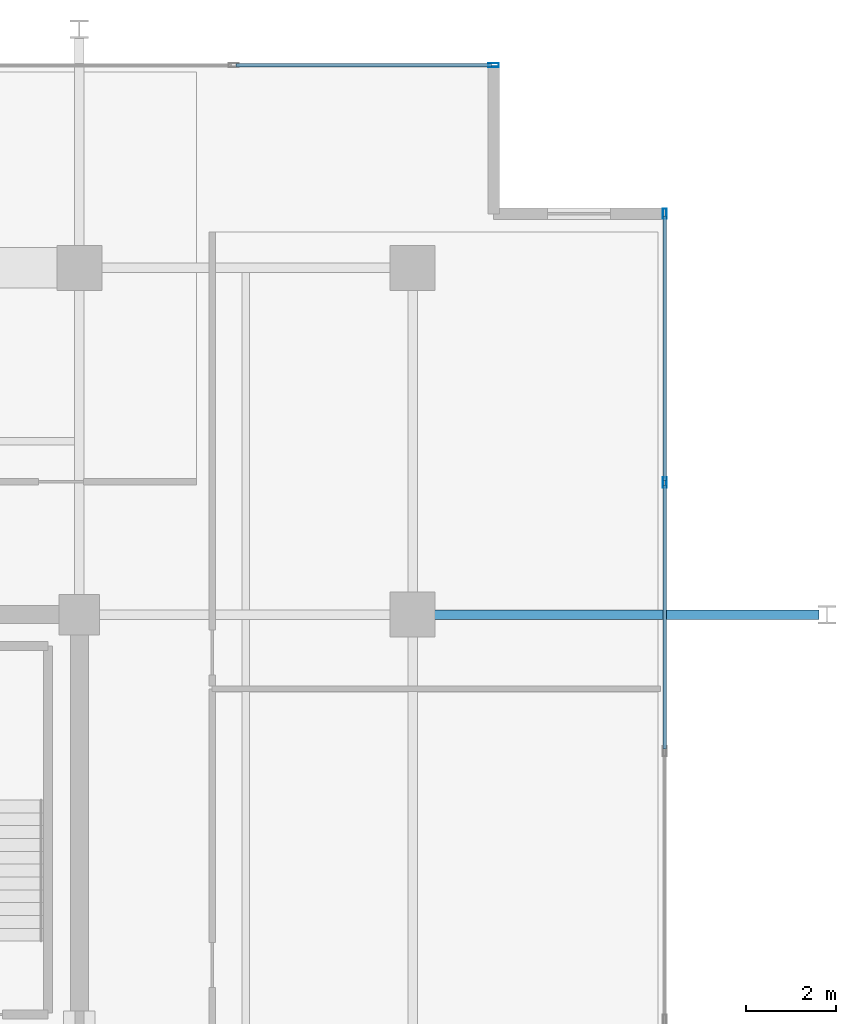
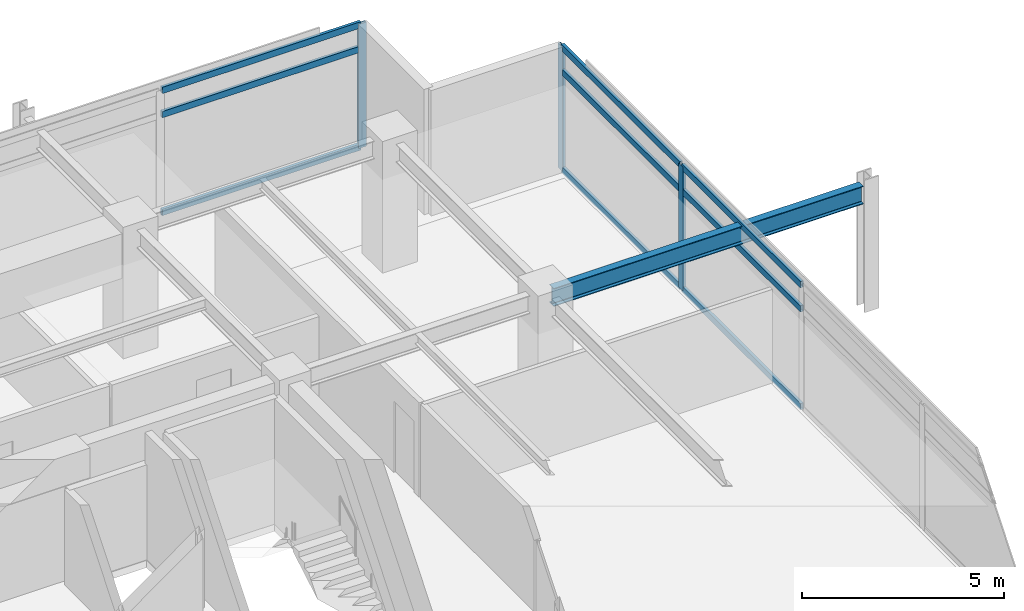
# One storey, part 11 of 20: 12 members, 1 beam, 2 elements without a shape of their own.
"""IFC4 building model written with IfcOpenShell, lengths in metres."""

from ifc_helpers import new_model, si_unit, direction, frame, origin, origin_2d, place, context, subcontext, project, spatial, hollow_rectangle, i_section, extrude, material, material_profile, profile_set, type_object, element, aggregate, save


model = new_model("IFC4")

# Units and contexts
model_context = context("Model", 3, precision=1e-05, world=origin(), true_north=direction((0.0, 1.0)))
body_context = subcontext(model_context, "Body", "Model", "MODEL_VIEW")
ifc_project = project(units=[si_unit("LENGTHUNIT", "METRE"), si_unit("AREAUNIT", "SQUARE_METRE"), si_unit("VOLUMEUNIT", "CUBIC_METRE"), si_unit("PLANEANGLEUNIT", "RADIAN"), si_unit("MASSUNIT", "GRAM", prefix="KILO")], contexts=[model_context])

# Site, building, storey
site_placement = place(None, origin())
site = spatial("IfcSite", under=ifc_project, at=site_placement, CompositionType="ELEMENT")
building_placement = place(site_placement, origin())
building = spatial("IfcBuilding", under=site, at=building_placement, Name="Kovane Verandah Tower", CompositionType="ELEMENT")
storey_placement = place(building_placement, frame((0.0, 0.0, 306.800048828125)))
storey = spatial("IfcBuildingStorey", under=building, at=storey_placement, Name="L71", CompositionType="ELEMENT", Elevation=306.800048828125)

# Beam
ifc_material_1 = material(Name="Steel S355", Category="steel")
ifc_material_profile_1 = material_profile(ifc_material_1, i_section(OverallWidth=0.2119140625, OverallDepth=0.54443359375, WebThickness=0.0126953125, FlangeThickness=0.021240234375, FilletRadius=0.0126953125, at=origin_2d()), Name="UB533x210x122")
ifc_profile_set_1 = profile_set([ifc_material_profile_1], Name="Steel S355")
beam_type = type_object("IfcBeamType", Name="BM-UB533x122", PredefinedType="BEAM", material=ifc_profile_set_1)
beam_placement = place(storey_placement, frame((58.580078125, 36.5, 3.48779296875), z_axis=(1.0, 0.0, 0.0), x_axis=(0.0, 1.0, 0.0)))
element("IfcBeam", 1, at=beam_placement, inside=storey, type_object=beam_type, Name="L71 Primary Tower Girder G-VE2", PredefinedType="BEAM", context=body_context, shape_type="SweptSolid", body=[
    extrude(i_section(OverallWidth=0.2119140625, OverallDepth=0.54443359375, WebThickness=0.0126953125, FlangeThickness=0.021240234375, FilletRadius=0.0126953125, at=origin_2d()), origin(), (0.0, 0.0, 1.0), 8.83984375),
])

# Curtain wall, members
ifc_material_2 = material(Name="Champagne Anodised Aluminium Frame with Low-E Clear Laminated Glass", Category="aluminium")
curtain_wall_type = type_object("IfcCurtainWallType", Name="CW-SYS-05-HIGH", PredefinedType="NOTDEFINED", material=ifc_material_2)
curtain_wall_1_placement = place(storey_placement, origin())
curtain_wall_1 = element("IfcCurtainWall", 2, at=curtain_wall_1_placement, inside=storey, type_object=curtain_wall_type, Name="L71 E Unitised Curtain Wall", PredefinedType="NOTDEFINED")
ifc_material_3 = material(Name="Champagne Anodised Aluminium 6063-T6", Category="aluminium")
ifc_material_profile_2 = material_profile(ifc_material_3, hollow_rectangle(XDim=0.0849609375, YDim=0.22998046875, WallThickness=0.00390625, at=origin_2d()), Name="AL85x230x4")
ifc_profile_set_2 = profile_set([ifc_material_profile_2], Name="Champagne Anodised Aluminium 6063-T6")
member_type_1 = type_object("IfcMemberType", Name="CW-MUL-85x230", PredefinedType="MULLION", material=ifc_profile_set_2)
member_1_placement = place(storey_placement, frame((64.0, 39.433349609375, 0.02001953125), z_axis=(0.0, 0.0, 1.0), x_axis=(1.0, 0.0, 0.0)))
member_1 = element("IfcMember", 3, at=member_1_placement, type_object=member_type_1, Name="L71 E Unitised Curtain Wall Mullion 6", PredefinedType="MULLION", context=body_context, shape_type="SweptSolid", body=[
    extrude(hollow_rectangle(XDim=0.0849609375, YDim=0.22998046875, WallThickness=0.00390625, at=origin_2d()), origin(), (0.0, 0.0, 1.0), 3.744873046875),
])
member_2_placement = place(storey_placement, frame((64.0, 45.39990234375, 0.02001953125), z_axis=(0.0, 0.0, 1.0), x_axis=(1.0, 0.0, 0.0)))
member_2 = element("IfcMember", 4, at=member_2_placement, type_object=member_type_1, Name="L71 E Unitised Curtain Wall Mullion 7", PredefinedType="MULLION", context=body_context, shape_type="SweptSolid", body=[
    extrude(hollow_rectangle(XDim=0.0849609375, YDim=0.22998046875, WallThickness=0.00390625, at=origin_2d()), origin(), (0.0, 0.0, 1.0), 3.744873046875),
])

# Curtain wall, member
curtain_wall_2_placement = place(storey_placement, origin())
curtain_wall_2 = element("IfcCurtainWall", 5, at=curtain_wall_2_placement, inside=storey, type_object=curtain_wall_type, Name="L71 N Unitised Curtain Wall", PredefinedType="NOTDEFINED")
member_3_placement = place(storey_placement, frame((60.199951171875, 48.699951171875, 0.02001953125), z_axis=(0.0, 0.0, 1.0), x_axis=(0.0, 1.0, 0.0)))
member_3 = element("IfcMember", 6, at=member_3_placement, type_object=member_type_1, Name="L71 N Unitised Curtain Wall Mullion 1", PredefinedType="MULLION", context=body_context, shape_type="SweptSolid", body=[
    extrude(hollow_rectangle(XDim=0.0849609375, YDim=0.22998046875, WallThickness=0.00390625, at=origin_2d()), origin(), (0.0, 0.0, 1.0), 3.744873046875),
])

# Member
ifc_material_profile_3 = material_profile(ifc_material_3, hollow_rectangle(XDim=0.0849609375, YDim=0.18994140625, WallThickness=0.00390625, at=origin_2d()), Name="AL85x190x4")
ifc_profile_set_3 = profile_set([ifc_material_profile_3], Name="Champagne Anodised Aluminium 6063-T6")
member_type_2 = type_object("IfcMemberType", Name="CW-TRN-85x190", PredefinedType="USERDEFINED", material=ifc_profile_set_3)
member_4_placement = place(storey_placement, frame((64.0, 33.5166015625, 0.050048828125), z_axis=(0.0, 1.0, 0.0), x_axis=(-1.0, 0.0, 0.0)))
member_4 = element("IfcMember", 7, at=member_4_placement, type_object=member_type_2, Name="L71 E Unitised Curtain Wall Transom TB Bay 5", ObjectType="TRANSOM", PredefinedType="USERDEFINED", context=body_context, shape_type="SweptSolid", body=[
    extrude(hollow_rectangle(XDim=0.0849609375, YDim=0.18994140625, WallThickness=0.00390625, at=origin_2d()), origin(), (0.0, 0.0, 1.0), 5.86669921875),
])

member_5_placement = place(storey_placement, frame((64.0, 33.5166015625, 3.0048828125), z_axis=(0.0, 1.0, 0.0), x_axis=(-1.0, 0.0, 0.0)))
member_5 = element("IfcMember", 8, at=member_5_placement, type_object=member_type_2, Name="L71 E Unitised Curtain Wall Transom TM Bay 5", ObjectType="TRANSOM", PredefinedType="USERDEFINED", context=body_context, shape_type="SweptSolid", body=[
    extrude(hollow_rectangle(XDim=0.0849609375, YDim=0.18994140625, WallThickness=0.00390625, at=origin_2d()), origin(), (0.0, 0.0, 1.0), 5.86669921875),
])

member_6_placement = place(storey_placement, frame((64.0, 33.5166015625, 3.73486328125), z_axis=(0.0, 1.0, 0.0), x_axis=(-1.0, 0.0, 0.0)))
member_6 = element("IfcMember", 9, at=member_6_placement, type_object=member_type_2, Name="L71 E Unitised Curtain Wall Transom TT Bay 5", ObjectType="TRANSOM", PredefinedType="USERDEFINED", context=body_context, shape_type="SweptSolid", body=[
    extrude(hollow_rectangle(XDim=0.0849609375, YDim=0.18994140625, WallThickness=0.00390625, at=origin_2d()), origin(), (0.0, 0.0, 1.0), 5.86669921875),
])

member_7_placement = place(storey_placement, frame((64.0, 39.4833984375, 0.050048828125), z_axis=(0.0, 1.0, 0.0), x_axis=(-1.0, 0.0, 0.0)))
member_7 = element("IfcMember", 10, at=member_7_placement, type_object=member_type_2, Name="L71 E Unitised Curtain Wall Transom TB Bay 6", ObjectType="TRANSOM", PredefinedType="USERDEFINED", context=body_context, shape_type="SweptSolid", body=[
    extrude(hollow_rectangle(XDim=0.0849609375, YDim=0.18994140625, WallThickness=0.00390625, at=origin_2d()), origin(), (0.0, 0.0, 1.0), 5.86669921875),
])

member_8_placement = place(storey_placement, frame((64.0, 39.4833984375, 3.0048828125), z_axis=(0.0, 1.0, 0.0), x_axis=(-1.0, 0.0, 0.0)))
member_8 = element("IfcMember", 11, at=member_8_placement, type_object=member_type_2, Name="L71 E Unitised Curtain Wall Transom TM Bay 6", ObjectType="TRANSOM", PredefinedType="USERDEFINED", context=body_context, shape_type="SweptSolid", body=[
    extrude(hollow_rectangle(XDim=0.0849609375, YDim=0.18994140625, WallThickness=0.00390625, at=origin_2d()), origin(), (0.0, 0.0, 1.0), 5.86669921875),
])

member_9_placement = place(storey_placement, frame((64.0, 39.4833984375, 3.73486328125), z_axis=(0.0, 1.0, 0.0), x_axis=(-1.0, 0.0, 0.0)))
member_9 = element("IfcMember", 12, at=member_9_placement, type_object=member_type_2, Name="L71 E Unitised Curtain Wall Transom TT Bay 6", ObjectType="TRANSOM", PredefinedType="USERDEFINED", context=body_context, shape_type="SweptSolid", body=[
    extrude(hollow_rectangle(XDim=0.0849609375, YDim=0.18994140625, WallThickness=0.00390625, at=origin_2d()), origin(), (0.0, 0.0, 1.0), 5.86669921875),
])

aggregate(curtain_wall_1, [member_1, member_2, member_4, member_5, member_6, member_7, member_8, member_9])

member_10_placement = place(storey_placement, frame((60.14990234375, 48.699951171875, 0.050048828125), z_axis=(-1.0, 0.0, 0.0), x_axis=(0.0, -1.0, 0.0)))
member_10 = element("IfcMember", 13, at=member_10_placement, type_object=member_type_2, Name="L71 N Unitised Curtain Wall Transom TB Bay 1", ObjectType="TRANSOM", PredefinedType="USERDEFINED", context=body_context, shape_type="SweptSolid", body=[
    extrude(hollow_rectangle(XDim=0.0849609375, YDim=0.18994140625, WallThickness=0.00390625, at=origin_2d()), origin(), (0.0, 0.0, 1.0), 5.67138671875),
])

member_11_placement = place(storey_placement, frame((60.14990234375, 48.699951171875, 3.0048828125), z_axis=(-1.0, 0.0, 0.0), x_axis=(0.0, -1.0, 0.0)))
member_11 = element("IfcMember", 14, at=member_11_placement, type_object=member_type_2, Name="L71 N Unitised Curtain Wall Transom TM Bay 1", ObjectType="TRANSOM", PredefinedType="USERDEFINED", context=body_context, shape_type="SweptSolid", body=[
    extrude(hollow_rectangle(XDim=0.0849609375, YDim=0.18994140625, WallThickness=0.00390625, at=origin_2d()), origin(), (0.0, 0.0, 1.0), 5.67138671875),
])

member_12_placement = place(storey_placement, frame((60.14990234375, 48.699951171875, 3.73486328125), z_axis=(-1.0, 0.0, 0.0), x_axis=(0.0, -1.0, 0.0)))
member_12 = element("IfcMember", 15, at=member_12_placement, type_object=member_type_2, Name="L71 N Unitised Curtain Wall Transom TT Bay 1", ObjectType="TRANSOM", PredefinedType="USERDEFINED", context=body_context, shape_type="SweptSolid", body=[
    extrude(hollow_rectangle(XDim=0.0849609375, YDim=0.18994140625, WallThickness=0.00390625, at=origin_2d()), origin(), (0.0, 0.0, 1.0), 5.67138671875),
])

aggregate(curtain_wall_2, [member_3, member_10, member_11, member_12])

save(model, "model.ifc")
